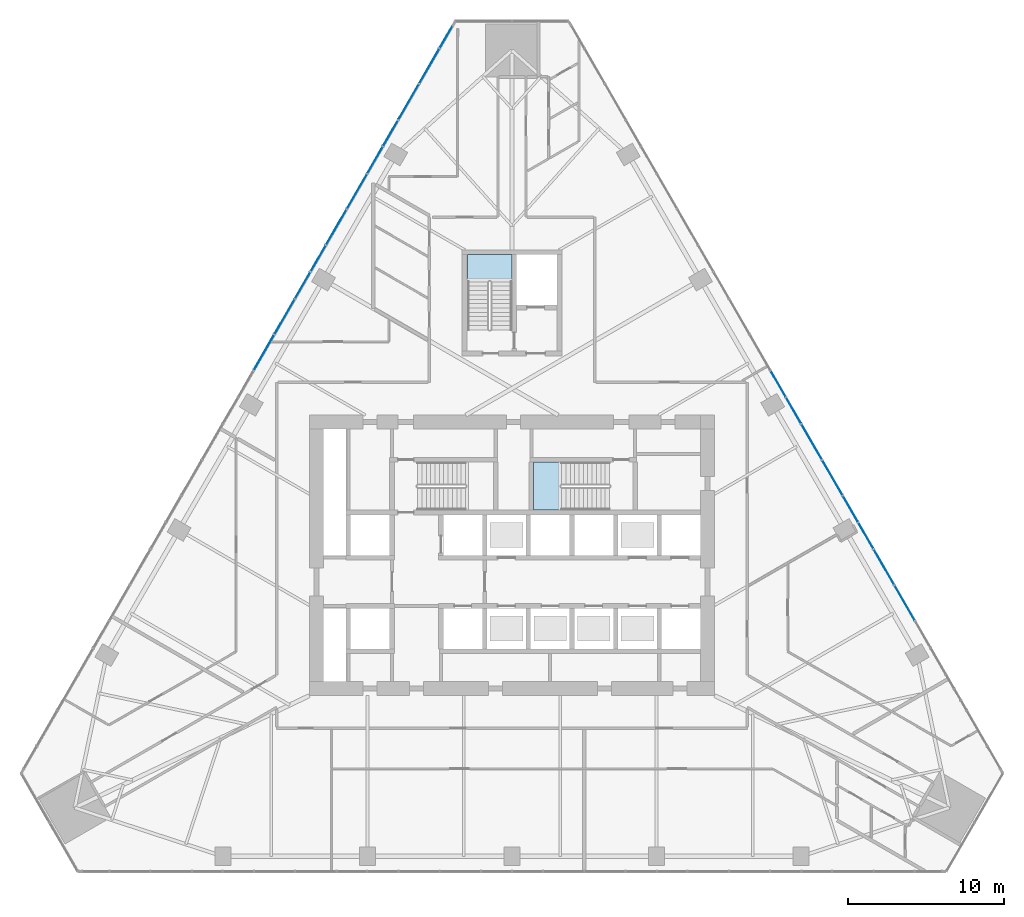
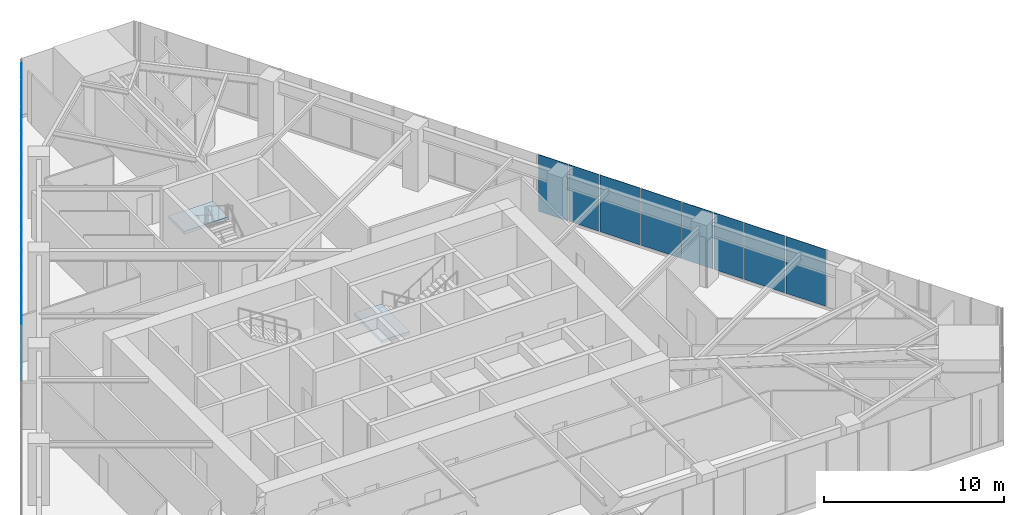
# One storey, part 14 of 22: 19 plates, 2 slabs, 4 elements without a shape of their own.
"""IFC4 building model written with IfcOpenShell, lengths in metres."""

from ifc_helpers import new_model, si_unit, direction, frame, origin, place, context, subcontext, project, spatial, polyline, outline, extrude, material, layer, layer_set, type_object, element, aggregate, save


model = new_model("IFC4")

# Units and contexts
model_context = context("Model", 3, precision=1e-05, world=origin(), true_north=direction((0.0, 1.0)))
body_context = subcontext(model_context, "Body", "Model", "MODEL_VIEW")
ifc_project = project(units=[si_unit("LENGTHUNIT", "METRE"), si_unit("AREAUNIT", "SQUARE_METRE"), si_unit("VOLUMEUNIT", "CUBIC_METRE"), si_unit("PLANEANGLEUNIT", "RADIAN"), si_unit("MASSUNIT", "GRAM", prefix="KILO")], contexts=[model_context])

# Site, building, storey
site_placement = place(None, origin())
site = spatial("IfcSite", under=ifc_project, at=site_placement, CompositionType="ELEMENT")
building_placement = place(site_placement, origin())
building = spatial("IfcBuilding", under=site, at=building_placement, Name="Firuza Gate Tower and Library", CompositionType="ELEMENT")
storey_placement = place(building_placement, frame((0.0, 0.0, 132.39990234375)))
storey = spatial("IfcBuildingStorey", under=building, at=storey_placement, Name="L30", CompositionType="ELEMENT", Elevation=132.39990234375)

# Curtain wall, plates
ifc_material_1 = material(Name="Aluminium 6063-T6", Category="aluminium")
ifc_layer_1 = layer(ifc_material_1, 0.14990234375)
ifc_layer_set_1 = layer_set([ifc_layer_1], Name="Unitised curtain wall, offices")
curtain_wall_type = type_object("IfcCurtainWallType", Name="Unitised curtain wall, offices", PredefinedType="NOTDEFINED", material=ifc_layer_set_1)
placement_1 = place(storey_placement, origin())
curtain_wall_1 = element("IfcCurtainWall", 1, at=placement_1, inside=storey, type_object=curtain_wall_type, Name="CW1 L30 E face", PredefinedType="NOTDEFINED")
ifc_material_2 = material(Name="Fritted glass", Category="glass")
ifc_layer_2 = layer(ifc_material_2, 0.030029296875)
ifc_layer_set_2 = layer_set([ifc_layer_2], Name="Fritted glass unit, offices")
plate_type_1 = type_object("IfcPlateType", Name="Fritted glass unit, offices", PredefinedType="CURTAIN_PANEL", material=ifc_layer_set_2)
plate_1_placement = place(storey_placement, frame((98.1943359375, 75.440185546875, 0.150146484375), z_axis=(0.866047869032, 0.499961087031, 0.0), x_axis=(-0.499961087031, 0.866047869032, 0.0)))
plate_1 = element("IfcPlate", 2, at=plate_1_placement, type_object=plate_type_1, Name="Glass unit", PredefinedType="CURTAIN_PANEL", context=body_context, shape_type="SweptSolid", body=[
    extrude(outline(polyline([(0.0, 0.0), (1.8893071933532877, 0.0), (1.8893071933532877, 3.849853515625001), (0.0, 3.849853515625001), (0.0, 0.0)])), origin(), (0.0, 0.0, -1.0), 0.030029296875),
])
plate_2_placement = place(storey_placement, frame((97.209716796875, 77.1455078125, 0.150146484375), z_axis=(0.866041454758, 0.499972197867, 0.0), x_axis=(-0.499972197867, 0.866041454758, 0.0)))
plate_2 = element("IfcPlate", 3, at=plate_2_placement, type_object=plate_type_1, Name="Glass unit", PredefinedType="CURTAIN_PANEL", context=body_context, shape_type="SweptSolid", body=[
    extrude(outline(polyline([(0.0, 0.0), (1.9180754031732696, 0.0), (1.9180754031732696, 3.849853515625), (0.0, 3.849853515625), (0.0, 0.0)])), origin(), (0.0, 0.0, -1.0), 0.030029296875),
])
plate_3_placement = place(storey_placement, frame((93.55810546875, 83.47021484375, 0.150146484375), z_axis=(0.866072402055, 0.49991858777, 0.0), x_axis=(-0.49991858777, 0.866072402055, 0.0)))
plate_3 = element("IfcPlate", 4, at=plate_3_placement, type_object=plate_type_1, Name="Glass unit", PredefinedType="CURTAIN_PANEL", context=body_context, shape_type="SweptSolid", body=[
    extrude(outline(polyline([(0.0, 0.0), (1.9036302700702457, 0.0), (1.9036302700702457, 3.849853515625), (0.0, 3.849853515625), (0.0, 0.0)])), origin(), (0.0, 0.0, -1.0), 0.030029296875),
])
plate_4_placement = place(storey_placement, frame((92.56640625, 85.188232421875, 0.150146484375), z_axis=(0.865984804727, 0.500070313038, 0.0), x_axis=(-0.500070313038, 0.865984804727, 0.0)))
plate_4 = element("IfcPlate", 5, at=plate_4_placement, type_object=plate_type_1, Name="Glass unit", PredefinedType="CURTAIN_PANEL", context=body_context, shape_type="SweptSolid", body=[
    extrude(outline(polyline([(0.0, 0.0), (1.903540906262678, 0.0), (1.903540906262678, 3.849853515625), (0.0, 3.849853515625), (0.0, 0.0)])), origin(), (0.0, 0.0, -1.0), 0.030029296875),
])

curtain_wall_2 = element("IfcCurtainWall", 6, at=placement_1, inside=storey, type_object=curtain_wall_type, Name="CW1 L30 W face", PredefinedType="NOTDEFINED")
plate_5_placement = place(storey_placement, frame((71.158203125, 108.959716796875, 0.150146484375), z_axis=(-0.865984300859, 0.500071185598, 0.0), x_axis=(-0.500071185598, -0.865984300859, 0.0)))
plate_5 = element("IfcPlate", 7, at=plate_5_placement, type_object=plate_type_1, Name="Glass unit", PredefinedType="CURTAIN_PANEL", context=body_context, shape_type="SweptSolid", body=[
    extrude(outline(polyline([(0.0, 0.0), (1.6159808683726462, 0.0), (1.6159808683726462, 3.849853515625), (0.0, 3.849853515625), (0.0, 0.0)])), origin(), (0.0, 0.0, -1.0), 0.030029296875),
])
plate_6_placement = place(storey_placement, frame((67.65771484375, 102.896728515625, 0.150146484375), z_axis=(-0.86604679206, 0.499962952589, 0.0), x_axis=(-0.499962952589, -0.86604679206, 0.0)))
plate_6 = element("IfcPlate", 8, at=plate_6_placement, type_object=plate_type_1, Name="Glass unit", PredefinedType="CURTAIN_PANEL", context=body_context, shape_type="SweptSolid", body=[
    extrude(outline(polyline([(0.0, 0.0), (1.8746506206524143, 0.0), (1.8746506206524143, 3.849853515625), (0.0, 3.849853515625), (0.0, 0.0)])), origin(), (0.0, 0.0, -1.0), 0.030029296875),
])
plate_7_placement = place(storey_placement, frame((66.680419921875, 101.203857421875, 0.150146484375), z_axis=(-0.866010966864, 0.500025004646, 0.0), x_axis=(-0.500025004646, -0.866010966864, 0.0)))
plate_7 = element("IfcPlate", 9, at=plate_7_placement, type_object=plate_type_1, Name="Glass unit", PredefinedType="CURTAIN_PANEL", context=body_context, shape_type="SweptSolid", body=[
    extrude(outline(polyline([(0.0, 0.0), (1.9325205435160588, 0.0), (1.9325205435160588, 3.849853515625001), (0.0, 3.849853515625001), (0.0, 0.0)])), origin(), (0.0, 0.0, -1.0), 0.030029296875),
])
plate_8_placement = place(storey_placement, frame((63.021728515625, 94.86669921875, 0.150146484375), z_axis=(-0.865959598822, 0.500113960221, 0.0), x_axis=(-0.500113960221, -0.865959598822, 0.0)))
plate_8 = element("IfcPlate", 10, at=plate_8_placement, type_object=plate_type_1, Name="Glass unit", PredefinedType="CURTAIN_PANEL", context=body_context, shape_type="SweptSolid", body=[
    extrude(outline(polyline([(0.0, 0.0), (1.8892178461332794, 0.0), (1.8892178461332794, 3.849853515625), (0.0, 3.849853515625), (0.0, 0.0)])), origin(), (0.0, 0.0, -1.0), 0.030029296875),
])
plate_9_placement = place(storey_placement, frame((62.037109375, 93.161376953125, 0.150146484375), z_axis=(-0.865986339388, 0.500067655417, 0.0), x_axis=(-0.500067655417, -0.865986339388, 0.0)))
plate_9 = element("IfcPlate", 11, at=plate_9_placement, type_object=plate_type_1, Name="Glass unit", PredefinedType="CURTAIN_PANEL", context=body_context, shape_type="SweptSolid", body=[
    extrude(outline(polyline([(0.0, 0.0), (1.9181974783510434, 0.0), (1.9181974783510434, 3.849853515625001), (0.0, 3.849853515625001), (0.0, 0.0)])), origin(), (0.0, 0.0, -1.0), 0.030029296875),
])

# Plate
ifc_material_3 = material(Name="Glazed ceramic tile")
ifc_layer_3 = layer(ifc_material_3, 0.030029296875)
ifc_layer_set_3 = layer_set([ifc_layer_3], Name="Opaque ceramic panel, offices")
plate_type_2 = type_object("IfcPlateType", Name="Opaque ceramic panel, offices", PredefinedType="CURTAIN_PANEL", material=ifc_layer_set_3)
plate_10_placement = place(storey_placement, frame((100.846923828125, 70.845947265625, 0.150146484375), z_axis=(0.865978371491, 0.500081453475, 0.0), x_axis=(-0.500081453475, 0.865978371491, 0.0)))
plate_10 = element("IfcPlate", 12, at=plate_10_placement, type_object=plate_type_2, Name="Opaque ceramic panel", PredefinedType="CURTAIN_PANEL", context=body_context, shape_type="SweptSolid", body=[
    extrude(outline(polyline([(0.0, 0.0), (2.5508539794087177, 0.0), (2.5508539794087177, 3.849853515625), (0.0, 3.849853515625), (0.0, 0.0)])), origin(), (0.0, 0.0, -1.0), 0.030029296875),
])

plate_11_placement = place(storey_placement, frame((99.531494140625, 73.124267578125, 0.150146484375), z_axis=(0.866016323255, 0.500015727609, 0.0), x_axis=(-0.500015727609, 0.866016323255, 0.0)))
plate_11 = element("IfcPlate", 13, at=plate_11_placement, type_object=plate_type_2, Name="Opaque ceramic panel", PredefinedType="CURTAIN_PANEL", context=body_context, shape_type="SweptSolid", body=[
    extrude(outline(polyline([(0.0, 0.0), (2.59415668148844, 0.0), (2.59415668148844, 3.849853515625), (0.0, 3.849853515625), (0.0, 0.0)])), origin(), (0.0, 0.0, -1.0), 0.030029296875),
])

plate_12_placement = place(storey_placement, frame((96.210693359375, 78.8759765625, 0.150146484375), z_axis=(0.866020765707, 0.500008033299, 0.0), x_axis=(-0.500008033299, 0.866020765707, 0.0)))
plate_12 = element("IfcPlate", 14, at=plate_12_placement, type_object=plate_type_2, Name="Opaque ceramic panel", PredefinedType="CURTAIN_PANEL", context=body_context, shape_type="SweptSolid", body=[
    extrude(outline(polyline([(0.0, 0.0), (2.5653884704322434, 0.0), (2.5653884704322434, 3.849853515625), (0.0, 3.849853515625), (0.0, 0.0)])), origin(), (0.0, 0.0, -1.0), 0.030029296875),
])

plate_13_placement = place(storey_placement, frame((94.887939453125, 81.166748046875, 0.150146484375), z_axis=(0.866039021589, 0.499976412529, 0.0), x_axis=(-0.499976412529, 0.866039021589, 0.0)))
plate_13 = element("IfcPlate", 15, at=plate_13_placement, type_object=plate_type_2, Name="Opaque ceramic panel", PredefinedType="CURTAIN_PANEL", context=body_context, shape_type="SweptSolid", body=[
    extrude(outline(polyline([(0.0, 0.0), (2.5797115414918417, 0.0), (2.5797115414918417, 3.849853515625), (0.0, 3.849853515625), (0.0, 0.0)])), origin(), (0.0, 0.0, -1.0), 0.030029296875),
])

aggregate(curtain_wall_1, [plate_10, plate_11, plate_1, plate_2, plate_12, plate_13, plate_3, plate_4])

plate_14_placement = place(storey_placement, frame((70.310302734375, 107.490966796875, 0.150146484375), z_axis=(-0.866001244224, 0.500041843252, 0.0), x_axis=(-0.500041843252, -0.866001244224, 0.0)))
plate_14 = element("IfcPlate", 16, at=plate_14_placement, type_object=plate_type_2, Name="Opaque ceramic panel", PredefinedType="CURTAIN_PANEL", context=body_context, shape_type="SweptSolid", body=[
    extrude(outline(polyline([(0.0, 0.0), (2.5364088305604313, 0.0), (2.5364088305604313, 3.849853515625), (0.0, 3.849853515625), (0.0, 0.0)])), origin(), (0.0, 0.0, -1.0), 0.030029296875),
])

plate_15_placement = place(storey_placement, frame((69.001953125, 105.22509765625, 0.150146484375), z_axis=(-0.866034402474, 0.499984413489, 0.0), x_axis=(-0.499984413489, -0.866034402474, 0.0)))
plate_15 = element("IfcPlate", 17, at=plate_15_placement, type_object=plate_type_2, Name="Opaque ceramic panel", PredefinedType="CURTAIN_PANEL", context=body_context, shape_type="SweptSolid", body=[
    extrude(outline(polyline([(0.0, 0.0), (2.6084797516962457, 0.0), (2.6084797516962457, 3.849853515625), (0.0, 3.849853515625), (0.0, 0.0)])), origin(), (0.0, 0.0, -1.0), 0.030029296875),
])

plate_16_placement = place(storey_placement, frame((65.674072265625, 99.4609375, 0.150146484375), z_axis=(-0.866019818373, 0.500009674092, 0.0), x_axis=(-0.500009674092, -0.866019818373, 0.0)))
plate_16 = element("IfcPlate", 18, at=plate_16_placement, type_object=plate_type_2, Name="Opaque ceramic panel", PredefinedType="CURTAIN_PANEL", context=body_context, shape_type="SweptSolid", body=[
    extrude(outline(polyline([(0.0, 0.0), (2.5507318979720375, 0.0), (2.5507318979720375, 3.849853515625001), (0.0, 3.849853515625001), (0.0, 0.0)])), origin(), (0.0, 0.0, -1.0), 0.030029296875),
])

plate_17_placement = place(storey_placement, frame((64.358642578125, 97.1826171875, 0.150146484375), z_axis=(-0.866016323255, 0.500015727609, 0.0), x_axis=(-0.500015727609, -0.866016323255, 0.0)))
plate_17 = element("IfcPlate", 19, at=plate_17_placement, type_object=plate_type_2, Name="Opaque ceramic panel", PredefinedType="CURTAIN_PANEL", context=body_context, shape_type="SweptSolid", body=[
    extrude(outline(polyline([(0.0, 0.0), (2.59415668148844, 0.0), (2.59415668148844, 3.849853515625), (0.0, 3.849853515625), (0.0, 0.0)])), origin(), (0.0, 0.0, -1.0), 0.030029296875),
])

plate_18_placement = place(storey_placement, frame((61.037841796875, 91.430908203125, 0.150146484375), z_axis=(-0.866038183914, 0.499977863513, 0.0), x_axis=(-0.499977863513, -0.866038183914, 0.0)))
plate_18 = element("IfcPlate", 20, at=plate_18_placement, type_object=plate_type_2, Name="Opaque ceramic panel", PredefinedType="CURTAIN_PANEL", context=body_context, shape_type="SweptSolid", body=[
    extrude(outline(polyline([(0.0, 0.0), (2.565054968863974, 0.0), (2.565054968863974, 3.849853515625), (0.0, 3.849853515625), (0.0, 0.0)])), origin(), (0.0, 0.0, -1.0), 0.030029296875),
])

plate_19_placement = place(storey_placement, frame((59.71533203125, 89.14013671875, 0.150146484375), z_axis=(-0.866039021589, 0.499976412529, 0.0), x_axis=(-0.499976412529, -0.866039021589, 0.0)))
plate_19 = element("IfcPlate", 21, at=plate_19_placement, type_object=plate_type_2, Name="Opaque ceramic panel", PredefinedType="CURTAIN_PANEL", context=body_context, shape_type="SweptSolid", body=[
    extrude(outline(polyline([(0.0, 0.0), (2.5797115414918417, 0.0), (2.5797115414918417, 3.849853515625), (0.0, 3.849853515625), (0.0, 0.0)])), origin(), (0.0, 0.0, -1.0), 0.030029296875),
])

aggregate(curtain_wall_2, [plate_5, plate_14, plate_15, plate_6, plate_7, plate_16, plate_17, plate_8, plate_9, plate_18, plate_19])

# Stair, slab
ifc_material_4 = material(Name="Concrete C35/45", Category="concrete")
stair_type_1 = type_object("IfcStairType", Name="Exit stair ST5", PredefinedType="HALF_TURN_STAIR", material=ifc_material_4)
stair_1 = element("IfcStair", 22, at=placement_1, inside=storey, type_object=stair_type_1, Name="L30 Stair ST2", PredefinedType="HALF_TURN_STAIR")
ifc_material_5 = material(Name="Concrete C35/45", Category="concrete")
ifc_layer_4 = layer(ifc_material_5, 0.199951171875)
ifc_layer_set_4 = layer_set([ifc_layer_4], Name="Stair landing 200")
slab_type = type_object("IfcSlabType", Name="Stair landing 200", PredefinedType="LANDING", material=ifc_layer_set_4)
placement_2 = place(storey_placement, frame((0.0, 0.0, 1.900146484375)))
slab_1 = element("IfcSlab", 23, at=placement_2, type_object=slab_type, Name="ST2 landing 1", PredefinedType="LANDING", context=body_context, shape_type="SweptSolid", body=[
    extrude(outline(polyline([(78.179931640625, 80.97998046875), (76.389892578125, 80.97998046875), (76.389892578125, 77.89990234375), (78.179931640625, 77.89990234375), (78.179931640625, 80.97998046875)])), origin(), (0.0, 0.0, 1.0), 0.199951171875),
])
aggregate(stair_1, [slab_1])

ifc_material_6 = material(Name="Concrete C35/45", Category="concrete")
stair_type_2 = type_object("IfcStairType", Name="Exit stair ST14", PredefinedType="HALF_TURN_STAIR", material=ifc_material_6)
stair_2 = element("IfcStair", 24, at=placement_1, inside=storey, type_object=stair_type_2, Name="L30 Stair ST3", PredefinedType="HALF_TURN_STAIR")
slab_2 = element("IfcSlab", 25, at=placement_2, type_object=slab_type, Name="ST3 landing 1", PredefinedType="LANDING", context=body_context, shape_type="SweptSolid", body=[
    extrude(outline(polyline([(75.0, 92.550048828125), (75.0, 94.300048828125), (72.159912109375, 94.300048828125), (72.159912109375, 92.550048828125), (75.0, 92.550048828125)])), origin(), (0.0, 0.0, 1.0), 0.199951171875),
])
aggregate(stair_2, [slab_2])

save(model, "model.ifc")
